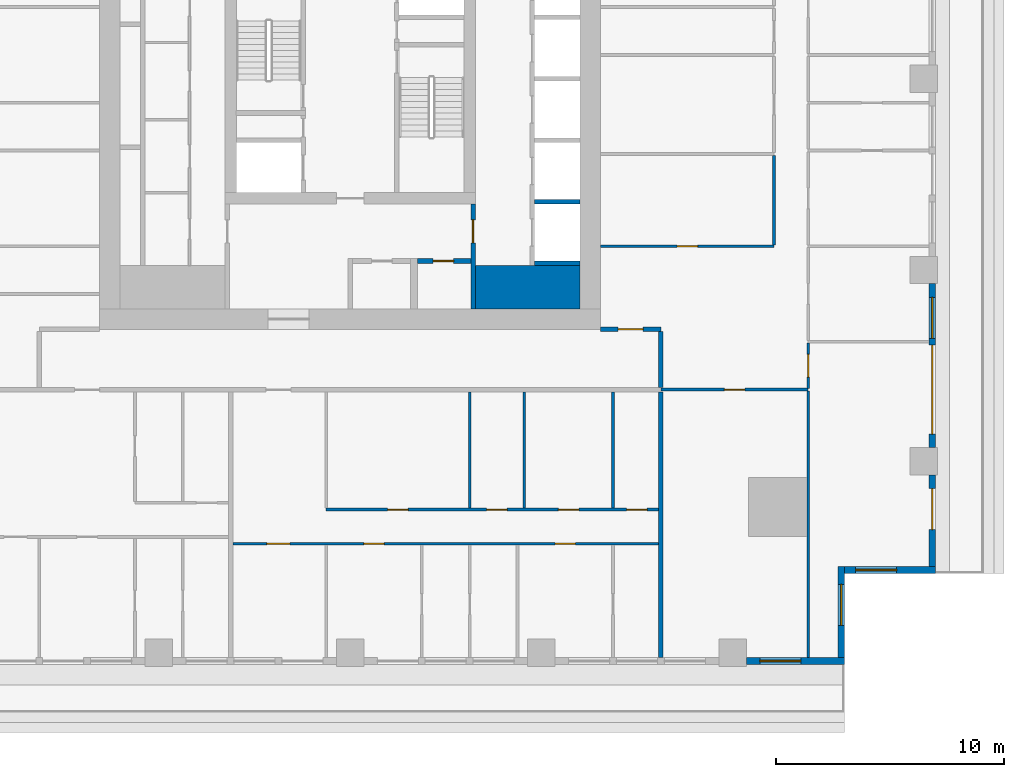
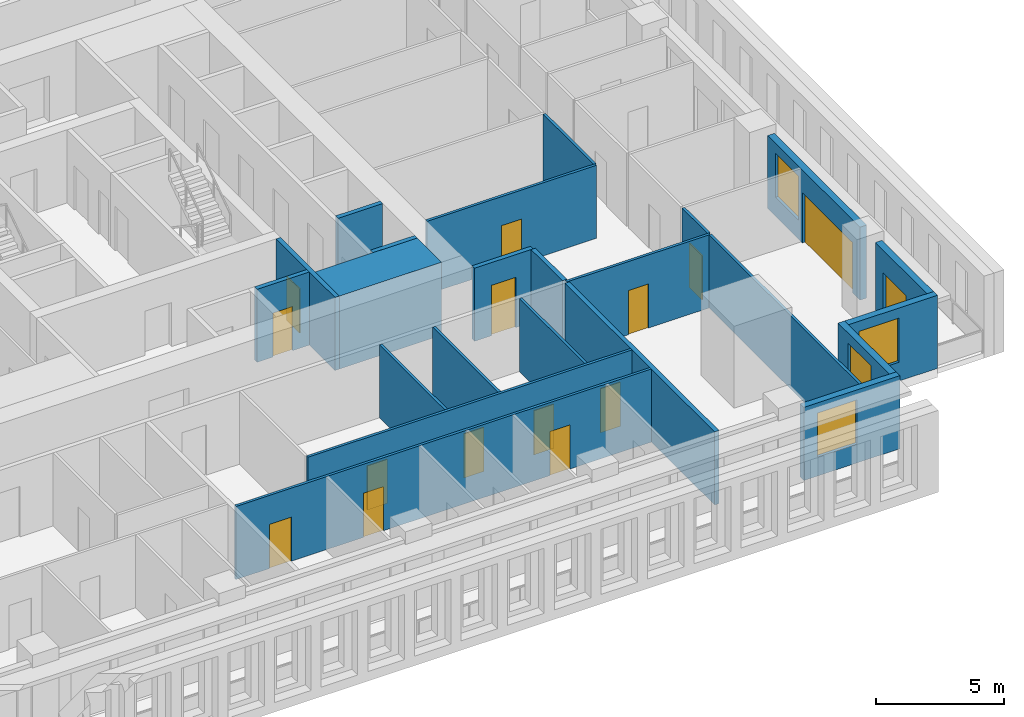
# One storey, part 5 of 16: 23 walls, 15 doors, 4 windows, 19 openings.
"""IFC4 building model written with IfcOpenShell, lengths in metres."""

from ifc_helpers import new_model, si_unit, direction, frame, frame_2d, origin, place, context, subcontext, project, spatial, rectangle, extrude, material, layer, layer_set, type_object, element, fill, save


model = new_model("IFC4")

# Units and contexts
model_context = context("Model", 3, precision=1e-05, world=origin(), true_north=direction((0.0, 1.0)))
body_context = subcontext(model_context, "Body", "Model", "MODEL_VIEW")
ifc_project = project(units=[si_unit("LENGTHUNIT", "METRE"), si_unit("AREAUNIT", "SQUARE_METRE"), si_unit("VOLUMEUNIT", "CUBIC_METRE"), si_unit("PLANEANGLEUNIT", "RADIAN"), si_unit("MASSUNIT", "GRAM", prefix="KILO")], contexts=[model_context])

# Site, building, storey
site_placement = place(None, origin())
site = spatial("IfcSite", under=ifc_project, at=site_placement, CompositionType="ELEMENT")
building_placement = place(site_placement, origin())
building = spatial("IfcBuilding", under=site, at=building_placement, Name="Khepri Terraces", CompositionType="ELEMENT")
storey_placement = place(building_placement, frame((0.0, 0.0, 172.800048828125)))
storey = spatial("IfcBuildingStorey", under=building, at=storey_placement, Name="L41", CompositionType="ELEMENT", Elevation=172.800048828125)

# Walls
ifc_material_1 = material(Name="Concrete C60/75", Category="concrete")
ifc_layer_1 = layer(ifc_material_1, 1.89990234375, Name="Concrete C60/75", Category="concrete")
ifc_layer_set_1 = layer_set([ifc_layer_1], Name="Concrete C60/75")
wall_type_1 = type_object("IfcWallType", Name="Core wall 1900 C60/75", PredefinedType="SHEAR", material=ifc_layer_set_1)
wall_1_placement = place(storey_placement, frame((5.5, -9.14990234375, 0.0), z_axis=(0.0, 0.0, 1.0), x_axis=(1.0, 0.0, 0.0)))
element("IfcWall", 1, at=wall_1_placement, inside=storey, type_object=wall_type_1, Name="Core wall PR02 L41", PredefinedType="SHEAR", context=body_context, shape_type="SweptSolid", body=[
    extrude(rectangle(XDim=4.60009765625, YDim=1.89990234375, at=frame_2d((2.300048828125, 0.0))), origin(), (0.0, 0.0, 1.0), 3.47998046875),
])
ifc_layer_2 = layer(ifc_material_1, 0.199951171875, Name="Concrete C60/75", Category="concrete")
ifc_layer_set_2 = layer_set([ifc_layer_2], Name="Concrete C60/75")
wall_type_2 = type_object("IfcWallType", Name="Core wall 200 C60/75", PredefinedType="SHEAR", material=ifc_layer_set_2)
for number, where, z_axis, x_axis, name in (
    (2, (8.10009765625, -8.10009765625, 0.0), (0.0, 0.0, 1.0), (1.0, 0.0, 0.0), "Core wall SH03 L41"),
    (3, (8.10009765625, -5.39990234375, 0.0), (0.0, 0.0, 1.0), (1.0, 0.0, 0.0), "Core wall SH04 L41"),
):
    element("IfcWall", number, at=place(storey_placement, frame(where, z_axis=z_axis, x_axis=x_axis)), inside=storey, type_object=wall_type_2, Name=name, PredefinedType="SHEAR", context=body_context, shape_type="SweptSolid", body=[
        extrude(rectangle(XDim=2.0, YDim=0.199951171875, at=frame_2d((1.0, 0.0))), origin(), (0.0, 0.0, 1.0), 3.47998046875),
    ])

# Wall, opening, door
ifc_material_2 = material(Name="Fire-rated gypsum board partition")
ifc_layer_3 = layer(ifc_material_2, 0.199951171875, Name="Fire-rated gypsum board partition")
ifc_layer_set_3 = layer_set([ifc_layer_3], Name="Fire-rated gypsum board partition")
wall_type_3 = type_object("IfcWallType", Name="WL-CORE-PART-200", PredefinedType="PARTITIONING", material=ifc_layer_set_3)
wall_2_placement = place(storey_placement, frame((5.39990234375, -10.10009765625, 0.0), z_axis=(0.0, 0.0, 1.0), x_axis=(0.0, 1.0, 0.0)))
wall_2 = element("IfcWall", 4, at=wall_2_placement, inside=storey, type_object=wall_type_3, Name="Core partition PT04 L41", PredefinedType="PARTITIONING", context=body_context, shape_type="SweptSolid", body=[
    extrude(rectangle(XDim=4.60009765625, YDim=0.199951171875, at=frame_2d((2.300048828125, 0.0))), origin(), (0.0, 0.0, 1.0), 3.47998046875),
])
opening_1_placement = place(wall_2_placement, frame((2.89990234375, 0.0, 0.0)))
opening_1 = element("IfcOpeningElement", 5, at=opening_1_placement, cuts=wall_2, Name="Opening L41-C19", PredefinedType="OPENING", context=body_context, shape_type="SweptSolid", body=[
    extrude(rectangle(XDim=1.0, YDim=2.10009765625, at=frame_2d((0.5, 1.050048828125))), frame((0.0, 0.10986328125, 0.0), z_axis=(0.0, -1.0, 0.0), x_axis=(1.0, 0.0, 0.0)), (0.0, 0.0, 1.0), 0.219970703125),
])
ifc_material_3 = material(Name="Painted steel", Category="steel")
door_type_1 = type_object("IfcDoorType", Name="DR-CORE-LOBBY-1000", OperationType="NOTDEFINED", PredefinedType="DOOR", material=ifc_material_3)
door_1_placement = place(opening_1_placement, origin())
door_1 = element("IfcDoor", 6, at=door_1_placement, inside=storey, type_object=door_type_1, Name="Lobby door L41-C19", OperationType="SINGLE_SWING_RIGHT", OverallHeight=2.10009765625, OverallWidth=1.0, PredefinedType="DOOR", context=body_context, shape_type="SweptSolid", body=[
    extrude(rectangle(XDim=1.0, YDim=2.10009765625, at=frame_2d((0.5, 1.050048828125))), frame((0.0, 0.02490234375, 0.0), z_axis=(0.0, -1.0, 0.0), x_axis=(1.0, 0.0, 0.0)), (0.0, 0.0, 1.0), 0.050048828125),
])
fill(opening_1, door_1)

wall_3_placement = place(storey_placement, frame((2.949951171875, -8.0, 0.0), z_axis=(0.0, 0.0, 1.0), x_axis=(1.0, 0.0, 0.0)))
wall_3 = element("IfcWall", 7, at=wall_3_placement, inside=storey, type_object=wall_type_3, Name="Core partition PT07 L41", PredefinedType="PARTITIONING", context=body_context, shape_type="SweptSolid", body=[
    extrude(rectangle(XDim=2.35009765625, YDim=0.199951171875, at=frame_2d((1.175048828125, 0.0))), origin(), (0.0, 0.0, 1.0), 3.47998046875),
])
opening_2_placement = place(wall_3_placement, frame((0.699951171875, 0.0, 0.0)))
opening_2 = element("IfcOpeningElement", 8, at=opening_2_placement, cuts=wall_3, Name="Opening L41-C23", PredefinedType="OPENING", context=body_context, shape_type="SweptSolid", body=[
    extrude(rectangle(XDim=0.89990234375, YDim=2.10009765625, at=frame_2d((0.449951171875, 1.050048828125))), frame((0.0, 0.10986328125, 0.0), z_axis=(0.0, -1.0, 0.0), x_axis=(1.0, 0.0, 0.0)), (0.0, 0.0, 1.0), 0.219970703125),
])
door_type_2 = type_object("IfcDoorType", Name="DR-CORE-SERVICE-900", OperationType="NOTDEFINED", PredefinedType="DOOR", material=ifc_material_3)
door_2_placement = place(opening_2_placement, frame((0.89990234375, 0.0, 0.0), z_axis=(0.0, 0.0, 1.0), x_axis=(-1.0, 0.0, 0.0)))
door_2 = element("IfcDoor", 9, at=door_2_placement, inside=storey, type_object=door_type_2, Name="Service room door L41-C23", OperationType="SINGLE_SWING_RIGHT", OverallHeight=2.10009765625, OverallWidth=0.89990234375, PredefinedType="DOOR", context=body_context, shape_type="SweptSolid", body=[
    extrude(rectangle(XDim=0.89990234375, YDim=2.10009765625, at=frame_2d((0.449951171875, 1.050048828125))), frame((0.0, 0.02490234375, 0.0), z_axis=(0.0, -1.0, 0.0), x_axis=(1.0, 0.0, 0.0)), (0.0, 0.0, 1.0), 0.050048828125),
])
fill(opening_2, door_2)

# Walls
ifc_material_4 = material(Name="Fire-rated gypsum plasterboard partition, mineral wool")
ifc_layer_4 = layer(ifc_material_4, 0.199951171875, Name="Fire-rated gypsum plasterboard partition, mineral wool")
ifc_layer_set_4 = layer_set([ifc_layer_4], Name="Fire-rated gypsum plasterboard partition, mineral wool")
wall_type_4 = type_object("IfcWallType", Name="WL-CORR-200", PredefinedType="PARTITIONING", material=ifc_layer_set_4)
wall_4_placement = place(storey_placement, frame((13.64990234375, -25.419921875, 0.0), z_axis=(0.0, 0.0, 1.0), x_axis=(0.0, 1.0, 0.0)))
element("IfcWall", 10, at=wall_4_placement, inside=storey, type_object=wall_type_4, Name="Partition P-010 L41", PredefinedType="PARTITIONING", context=body_context, shape_type="SweptSolid", body=[
    extrude(rectangle(XDim=11.669921875, YDim=0.199951171875, at=frame_2d((5.8349609375, 0.0))), origin(), (0.0, 0.0, 1.0), 3.47998046875),
])
wall_5_placement = place(storey_placement, frame((13.64990234375, -13.550048828125, 0.0), z_axis=(0.0, 0.0, 1.0), x_axis=(0.0, 1.0, 0.0)))
element("IfcWall", 11, at=wall_5_placement, inside=storey, type_object=wall_type_4, Name="Partition P-029 L41", PredefinedType="PARTITIONING", context=body_context, shape_type="SweptSolid", body=[
    extrude(rectangle(XDim=2.449951171875, YDim=0.199951171875, at=frame_2d((1.22509765625, 0.0))), origin(), (0.0, 0.0, 1.0), 3.47998046875),
])

# Wall, opening, door
wall_6_placement = place(storey_placement, frame((11.0, -11.0, 0.0), z_axis=(0.0, 0.0, 1.0), x_axis=(1.0, 0.0, 0.0)))
wall_6 = element("IfcWall", 12, at=wall_6_placement, inside=storey, type_object=wall_type_4, Name="Partition P-035 L41", PredefinedType="PARTITIONING", context=body_context, shape_type="SweptSolid", body=[
    extrude(rectangle(XDim=2.64990234375, YDim=0.199951171875, at=frame_2d((1.324951171875, 0.0))), origin(), (0.0, 0.0, 1.0), 3.47998046875),
])
opening_3_placement = place(wall_6_placement, frame((0.77490234375, 0.0, 0.0)))
opening_3 = element("IfcOpeningElement", 13, at=opening_3_placement, cuts=wall_6, Name="Opening D1", PredefinedType="OPENING", context=body_context, shape_type="SweptSolid", body=[
    extrude(rectangle(XDim=1.10009765625, YDim=2.39990234375, at=frame_2d((0.550048828125, 1.199951171875))), frame((0.0, 0.10986328125, 0.0), z_axis=(0.0, -1.0, 0.0), x_axis=(1.0, 0.0, 0.0)), (0.0, 0.0, 1.0), 0.219970703125),
])
ifc_material_5 = material(Name="Solid-core timber door leaf, flat entrance door", Category="wood")
door_type_3 = type_object("IfcDoorType", Name="DR-ENT-1100", OperationType="NOTDEFINED", PredefinedType="DOOR", material=ifc_material_5)
door_3_placement = place(opening_3_placement, origin())
door_3 = element("IfcDoor", 14, at=door_3_placement, inside=storey, type_object=door_type_3, Name="Flat B1 entrance door", OperationType="SINGLE_SWING_LEFT", OverallHeight=2.39990234375, OverallWidth=1.10009765625, PredefinedType="DOOR", context=body_context, shape_type="SweptSolid", body=[
    extrude(rectangle(XDim=1.10009765625, YDim=2.39990234375, at=frame_2d((0.550048828125, 1.199951171875))), frame((0.0, 0.02490234375, 0.0), z_axis=(0.0, -1.0, 0.0), x_axis=(1.0, 0.0, 0.0)), (0.0, 0.0, 1.0), 0.050048828125),
])
fill(opening_3, door_3)

# Wall, opening, window
ifc_material_6 = material(Name="Precast concrete C50/60 warm stone", Category="masonry")
ifc_layer_5 = layer(ifc_material_6, 0.300048828125, Name="Precast concrete C50/60 warm stone", Category="masonry")
ifc_layer_set_5 = layer_set([ifc_layer_5], Name="Precast concrete C50/60 warm stone")
wall_type_5 = type_object("IfcWallType", Name="WL-EXT-PRECAST-300", PredefinedType="STANDARD", material=ifc_layer_set_5)
wall_7_placement = place(storey_placement, frame((21.719970703125, -21.570068359375, 0.0), z_axis=(0.0, 0.0, 1.0), x_axis=(1.0, 0.0, 0.0)))
wall_7 = element("IfcWall", 15, at=wall_7_placement, inside=storey, type_object=wall_type_5, Name="External wall L41 S", PredefinedType="STANDARD", context=body_context, shape_type="SweptSolid", body=[
    extrude(rectangle(XDim=4.0, YDim=0.300048828125, at=frame_2d((2.0, 0.0))), origin(), (0.0, 0.0, 1.0), 3.47998046875),
])
opening_4_placement = place(wall_7_placement, frame((0.47998046875, 0.0, 0.89990234375)))
opening_4 = element("IfcOpeningElement", 16, at=opening_4_placement, cuts=wall_7, Name="Opening W1", PredefinedType="OPENING", context=body_context, shape_type="SweptSolid", body=[
    extrude(rectangle(XDim=1.800048828125, YDim=2.10009765625, at=frame_2d((0.89990234375, 1.050048828125))), frame((0.0, 0.16015625, 0.0), z_axis=(0.0, -1.0, 0.0), x_axis=(1.0, 0.0, 0.0)), (0.0, 0.0, 1.0), 0.320068359375),
])
ifc_material_7 = material(Name="Clear glass", Category="glass")
window_type = type_object("IfcWindowType", Name="WIN-RES-1800x2100", PartitioningType="SINGLE_PANEL", PredefinedType="WINDOW", material=ifc_material_7)
window_1_placement = place(opening_4_placement, origin())
window_1 = element("IfcWindow", 17, at=window_1_placement, inside=storey, type_object=window_type, Name="Window L41 S", OverallHeight=2.10009765625, OverallWidth=1.800048828125, PartitioningType="SINGLE_PANEL", PredefinedType="WINDOW", context=body_context, shape_type="SweptSolid", body=[
    extrude(rectangle(XDim=1.800048828125, YDim=2.10009765625, at=frame_2d((0.89990234375, 1.050048828125))), frame((0.0, 0.030029296875, 0.0), z_axis=(0.0, -1.0, 0.0), x_axis=(1.0, 0.0, 0.0)), (0.0, 0.0, 1.0), 0.06005859375),
])
fill(opening_4, window_1)

# Wall, opening, door
wall_8_placement = place(storey_placement, frame((25.570068359375, -21.419921875, 0.0), z_axis=(0.0, 0.0, 1.0), x_axis=(0.0, 1.0, 0.0)))
wall_8 = element("IfcWall", 18, at=wall_8_placement, inside=storey, type_object=wall_type_5, Name="External wall L41 E", PredefinedType="STANDARD", context=body_context, shape_type="SweptSolid", body=[
    extrude(rectangle(XDim=4.02001953125, YDim=0.300048828125, at=frame_2d((2.010009765625, 0.0))), origin(), (0.0, 0.0, 1.0), 3.47998046875),
])
opening_5_placement = place(wall_8_placement, frame((1.6201171875, 0.0, 0.0)))
opening_5 = element("IfcOpeningElement", 19, at=opening_5_placement, cuts=wall_8, Name="Opening ED-L41-01", PredefinedType="OPENING", context=body_context, shape_type="SweptSolid", body=[
    extrude(rectangle(XDim=1.800048828125, YDim=2.39990234375, at=frame_2d((0.89990234375, 1.199951171875))), frame((0.0, 0.16015625, 0.0), z_axis=(0.0, -1.0, 0.0), x_axis=(1.0, 0.0, 0.0)), (0.0, 0.0, 1.0), 0.320068359375),
])
ifc_material_8 = material(Name="Anodised aluminium bronze glazed door", Category="aluminium")
door_type_4 = type_object("IfcDoorType", Name="DR-BAL-SLIDE-1800x2400", OperationType="NOTDEFINED", PredefinedType="DOOR", material=ifc_material_8)
door_4_placement = place(opening_5_placement, origin())
door_4 = element("IfcDoor", 20, at=door_4_placement, inside=storey, type_object=door_type_4, Name="Balcony door L41 E", OperationType="SLIDING_TO_RIGHT", OverallHeight=2.39990234375, OverallWidth=1.800048828125, PredefinedType="DOOR", context=body_context, shape_type="SweptSolid", body=[
    extrude(rectangle(XDim=1.800048828125, YDim=2.39990234375, at=frame_2d((0.89990234375, 1.199951171875))), frame((0.0, 0.02490234375, 0.0), z_axis=(0.0, -1.0, 0.0), x_axis=(1.0, 0.0, 0.0)), (0.0, 0.0, 1.0), 0.050048828125),
])
fill(opening_5, door_4)

# Wall, openings, door, window
wall_9_placement = place(storey_placement, frame((25.570068359375, -16.199951171875, 0.0), z_axis=(0.0, 0.0, 1.0), x_axis=(0.0, 1.0, 0.0)))
wall_9 = element("IfcWall", 21, at=wall_9_placement, inside=storey, type_object=wall_type_5, Name="External wall L41 E", PredefinedType="STANDARD", context=body_context, shape_type="SweptSolid", body=[
    extrude(rectangle(XDim=7.199951171875, YDim=0.300048828125, at=frame_2d((3.60009765625, 0.0))), origin(), (0.0, 0.0, 1.0), 3.47998046875),
])
opening_6_placement = place(wall_9_placement, frame((0.60009765625, 0.0, 0.0)))
opening_6 = element("IfcOpeningElement", 22, at=opening_6_placement, cuts=wall_9, Name="Opening ED-L41-02", PredefinedType="OPENING", context=body_context, shape_type="SweptSolid", body=[
    extrude(rectangle(XDim=3.89990234375, YDim=2.39990234375, at=frame_2d((1.949951171875, 1.199951171875))), frame((0.0, 0.16015625, 0.0), z_axis=(0.0, -1.0, 0.0), x_axis=(1.0, 0.0, 0.0)), (0.0, 0.0, 1.0), 0.320068359375),
])
opening_7_placement = place(wall_9_placement, frame((4.800048828125, 0.0, 0.89990234375)))
opening_7 = element("IfcOpeningElement", 23, at=opening_7_placement, cuts=wall_9, Name="Opening W1", PredefinedType="OPENING", context=body_context, shape_type="SweptSolid", body=[
    extrude(rectangle(XDim=1.800048828125, YDim=2.10009765625, at=frame_2d((0.89990234375, 1.050048828125))), frame((0.0, 0.16015625, 0.0), z_axis=(0.0, -1.0, 0.0), x_axis=(1.0, 0.0, 0.0)), (0.0, 0.0, 1.0), 0.320068359375),
])
door_type_5 = type_object("IfcDoorType", Name="DR-BAL-SLIDE-3900x2400", OperationType="NOTDEFINED", PredefinedType="DOOR", material=ifc_material_8)
door_5_placement = place(opening_6_placement, origin())
door_5 = element("IfcDoor", 24, at=door_5_placement, inside=storey, type_object=door_type_5, Name="Balcony door L41 E", OperationType="SLIDING_TO_LEFT", OverallHeight=2.39990234375, OverallWidth=3.89990234375, PredefinedType="DOOR", context=body_context, shape_type="SweptSolid", body=[
    extrude(rectangle(XDim=3.89990234375, YDim=2.39990234375, at=frame_2d((1.949951171875, 1.199951171875))), frame((0.0, 0.02490234375, 0.0), z_axis=(0.0, -1.0, 0.0), x_axis=(1.0, 0.0, 0.0)), (0.0, 0.0, 1.0), 0.050048828125),
])
fill(opening_6, door_5)
window_2_placement = place(opening_7_placement, origin())
window_2 = element("IfcWindow", 25, at=window_2_placement, inside=storey, type_object=window_type, Name="Window L41 E", OverallHeight=2.10009765625, OverallWidth=1.800048828125, PartitioningType="SINGLE_PANEL", PredefinedType="WINDOW", context=body_context, shape_type="SweptSolid", body=[
    extrude(rectangle(XDim=1.800048828125, YDim=2.10009765625, at=frame_2d((0.89990234375, 1.050048828125))), frame((0.0, 0.030029296875, 0.0), z_axis=(0.0, -1.0, 0.0), x_axis=(1.0, 0.0, 0.0)), (0.0, 0.0, 1.0), 0.06005859375),
])
fill(opening_7, window_2)

# Wall, opening, window
wall_10_placement = place(storey_placement, frame((17.39990234375, -25.570068359375, 0.0), z_axis=(0.0, 0.0, 1.0), x_axis=(1.0, 0.0, 0.0)))
wall_10 = element("IfcWall", 26, at=wall_10_placement, inside=storey, type_object=wall_type_5, Name="External wall L41 S", PredefinedType="STANDARD", context=body_context, shape_type="SweptSolid", body=[
    extrude(rectangle(XDim=4.320068359375, YDim=0.300048828125, at=frame_2d((2.16015625, 0.0))), origin(), (0.0, 0.0, 1.0), 3.47998046875),
])
opening_8_placement = place(wall_10_placement, frame((0.60009765625, 0.0, 0.89990234375)))
opening_8 = element("IfcOpeningElement", 27, at=opening_8_placement, cuts=wall_10, Name="Opening W1", PredefinedType="OPENING", context=body_context, shape_type="SweptSolid", body=[
    extrude(rectangle(XDim=1.800048828125, YDim=2.10009765625, at=frame_2d((0.89990234375, 1.050048828125))), frame((0.0, 0.16015625, 0.0), z_axis=(0.0, -1.0, 0.0), x_axis=(1.0, 0.0, 0.0)), (0.0, 0.0, 1.0), 0.320068359375),
])
window_3_placement = place(opening_8_placement, origin())
window_3 = element("IfcWindow", 28, at=window_3_placement, inside=storey, type_object=window_type, Name="Window L41 S", OverallHeight=2.10009765625, OverallWidth=1.800048828125, PartitioningType="SINGLE_PANEL", PredefinedType="WINDOW", context=body_context, shape_type="SweptSolid", body=[
    extrude(rectangle(XDim=1.800048828125, YDim=2.10009765625, at=frame_2d((0.89990234375, 1.050048828125))), frame((0.0, 0.030029296875, 0.0), z_axis=(0.0, -1.0, 0.0), x_axis=(1.0, 0.0, 0.0)), (0.0, 0.0, 1.0), 0.06005859375),
])
fill(opening_8, window_3)

wall_11_placement = place(storey_placement, frame((21.570068359375, -25.419921875, 0.0), z_axis=(0.0, 0.0, 1.0), x_axis=(0.0, 1.0, 0.0)))
wall_11 = element("IfcWall", 29, at=wall_11_placement, inside=storey, type_object=wall_type_5, Name="External wall L41 E", PredefinedType="STANDARD", context=body_context, shape_type="SweptSolid", body=[
    extrude(rectangle(XDim=4.0, YDim=0.300048828125, at=frame_2d((2.0, 0.0))), origin(), (0.0, 0.0, 1.0), 3.47998046875),
])
opening_9_placement = place(wall_11_placement, frame((1.419921875, 0.0, 0.89990234375)))
opening_9 = element("IfcOpeningElement", 30, at=opening_9_placement, cuts=wall_11, Name="Opening W1", PredefinedType="OPENING", context=body_context, shape_type="SweptSolid", body=[
    extrude(rectangle(XDim=1.800048828125, YDim=2.10009765625, at=frame_2d((0.89990234375, 1.050048828125))), frame((0.0, 0.16015625, 0.0), z_axis=(0.0, -1.0, 0.0), x_axis=(1.0, 0.0, 0.0)), (0.0, 0.0, 1.0), 0.320068359375),
])
window_4_placement = place(opening_9_placement, origin())
window_4 = element("IfcWindow", 31, at=window_4_placement, inside=storey, type_object=window_type, Name="Window L41 E", OverallHeight=2.10009765625, OverallWidth=1.800048828125, PartitioningType="SINGLE_PANEL", PredefinedType="WINDOW", context=body_context, shape_type="SweptSolid", body=[
    extrude(rectangle(XDim=1.800048828125, YDim=2.10009765625, at=frame_2d((0.89990234375, 1.050048828125))), frame((0.0, 0.030029296875, 0.0), z_axis=(0.0, -1.0, 0.0), x_axis=(1.0, 0.0, 0.0)), (0.0, 0.0, 1.0), 0.06005859375),
])
fill(opening_9, window_4)

# Wall
ifc_material_9 = material(Name="Gypsum plasterboard partition")
ifc_layer_6 = layer(ifc_material_9, 0.1201171875, Name="Gypsum plasterboard partition")
ifc_layer_set_6 = layer_set([ifc_layer_6], Name="Gypsum plasterboard partition")
wall_type_6 = type_object("IfcWallType", Name="WL-PART-120", PredefinedType="PARTITIONING", material=ifc_layer_set_6)
wall_12_placement = place(storey_placement, frame((20.1201171875, -25.419921875, 0.0), z_axis=(0.0, 0.0, 1.0), x_axis=(0.0, 1.0, 0.0)))
element("IfcWall", 32, at=wall_12_placement, inside=storey, type_object=wall_type_6, Name="Partition P-011 L41", PredefinedType="PARTITIONING", context=body_context, shape_type="SweptSolid", body=[
    extrude(rectangle(XDim=11.7099609375, YDim=0.1201171875, at=frame_2d((5.85498046875, 0.0))), origin(), (0.0, 0.0, 1.0), 3.47998046875),
])

# Wall, openings, doors
wall_13_placement = place(storey_placement, frame((-5.14990234375, -20.419921875, 0.0), z_axis=(0.0, 0.0, 1.0), x_axis=(1.0, 0.0, 0.0)))
wall_13 = element("IfcWall", 33, at=wall_13_placement, inside=storey, type_object=wall_type_6, Name="Partition P-012 L41", PredefinedType="PARTITIONING", context=body_context, shape_type="SweptSolid", body=[
    extrude(rectangle(XDim=18.699951171875, YDim=0.1201171875, at=frame_2d((9.35009765625, 0.0))), origin(), (0.0, 0.0, 1.0), 3.47998046875),
])
opening_10_placement = place(wall_13_placement, frame((1.5, 0.0, 0.0)))
opening_10 = element("IfcOpeningElement", 34, at=opening_10_placement, cuts=wall_13, Name="Opening D2", PredefinedType="OPENING", context=body_context, shape_type="SweptSolid", body=[
    extrude(rectangle(XDim=1.0, YDim=2.10009765625, at=frame_2d((0.5, 1.050048828125))), frame((0.0, 0.070068359375, 0.0), z_axis=(0.0, -1.0, 0.0), x_axis=(1.0, 0.0, 0.0)), (0.0, 0.0, 1.0), 0.14013671875),
])
opening_11_placement = place(wall_13_placement, frame((5.75, 0.0, 0.0)))
opening_11 = element("IfcOpeningElement", 35, at=opening_11_placement, cuts=wall_13, Name="Opening D3", PredefinedType="OPENING", context=body_context, shape_type="SweptSolid", body=[
    extrude(rectangle(XDim=0.89990234375, YDim=2.10009765625, at=frame_2d((0.449951171875, 1.050048828125))), frame((0.0, 0.070068359375, 0.0), z_axis=(0.0, -1.0, 0.0), x_axis=(1.0, 0.0, 0.0)), (0.0, 0.0, 1.0), 0.14013671875),
])
opening_12_placement = place(wall_13_placement, frame((14.14990234375, 0.0, 0.0)))
opening_12 = element("IfcOpeningElement", 36, at=opening_12_placement, cuts=wall_13, Name="Opening D3", PredefinedType="OPENING", context=body_context, shape_type="SweptSolid", body=[
    extrude(rectangle(XDim=0.89990234375, YDim=2.10009765625, at=frame_2d((0.449951171875, 1.050048828125))), frame((0.0, 0.070068359375, 0.0), z_axis=(0.0, -1.0, 0.0), x_axis=(1.0, 0.0, 0.0)), (0.0, 0.0, 1.0), 0.14013671875),
])
ifc_material_10 = material(Name="Timber door leaf, living room door", Category="wood")
door_type_6 = type_object("IfcDoorType", Name="DR-INT-1000", OperationType="NOTDEFINED", PredefinedType="DOOR", material=ifc_material_10)
door_6_placement = place(opening_10_placement, frame((1.0, 0.0, 0.0), z_axis=(0.0, 0.0, 1.0), x_axis=(-1.0, 0.0, 0.0)))
door_6 = element("IfcDoor", 37, at=door_6_placement, inside=storey, type_object=door_type_6, Name="Door Sun Lounge", OperationType="SINGLE_SWING_RIGHT", OverallHeight=2.10009765625, OverallWidth=1.0, PredefinedType="DOOR", context=body_context, shape_type="SweptSolid", body=[
    extrude(rectangle(XDim=1.0, YDim=2.10009765625, at=frame_2d((0.5, 1.050048828125))), frame((0.0, 0.02490234375, 0.0), z_axis=(0.0, -1.0, 0.0), x_axis=(1.0, 0.0, 0.0)), (0.0, 0.0, 1.0), 0.050048828125),
])
fill(opening_10, door_6)
ifc_material_11 = material(Name="Timber door leaf", Category="wood")
door_type_7 = type_object("IfcDoorType", Name="DR-INT-900", OperationType="NOTDEFINED", PredefinedType="DOOR", material=ifc_material_11)
door_7_placement = place(opening_11_placement, frame((0.89990234375, 0.0, 0.0), z_axis=(0.0, 0.0, 1.0), x_axis=(-1.0, 0.0, 0.0)))
door_7 = element("IfcDoor", 38, at=door_7_placement, inside=storey, type_object=door_type_7, Name="Door Master Bedroom", OperationType="SINGLE_SWING_RIGHT", OverallHeight=2.10009765625, OverallWidth=0.89990234375, PredefinedType="DOOR", context=body_context, shape_type="SweptSolid", body=[
    extrude(rectangle(XDim=0.89990234375, YDim=2.10009765625, at=frame_2d((0.449951171875, 1.050048828125))), frame((0.0, 0.02490234375, 0.0), z_axis=(0.0, -1.0, 0.0), x_axis=(1.0, 0.0, 0.0)), (0.0, 0.0, 1.0), 0.050048828125),
])
fill(opening_11, door_7)
door_8_placement = place(opening_12_placement, frame((0.89990234375, 0.0, 0.0), z_axis=(0.0, 0.0, 1.0), x_axis=(-1.0, 0.0, 0.0)))
door_8 = element("IfcDoor", 39, at=door_8_placement, inside=storey, type_object=door_type_7, Name="Door Bedroom", OperationType="SINGLE_SWING_LEFT", OverallHeight=2.10009765625, OverallWidth=0.89990234375, PredefinedType="DOOR", context=body_context, shape_type="SweptSolid", body=[
    extrude(rectangle(XDim=0.89990234375, YDim=2.10009765625, at=frame_2d((0.449951171875, 1.050048828125))), frame((0.0, 0.02490234375, 0.0), z_axis=(0.0, -1.0, 0.0), x_axis=(1.0, 0.0, 0.0)), (0.0, 0.0, 1.0), 0.050048828125),
])
fill(opening_12, door_8)

wall_14_placement = place(storey_placement, frame((-1.050048828125, -18.919921875, 0.0), z_axis=(0.0, 0.0, 1.0), x_axis=(1.0, 0.0, 0.0)))
wall_14 = element("IfcWall", 40, at=wall_14_placement, inside=storey, type_object=wall_type_6, Name="Partition P-015 L41", PredefinedType="PARTITIONING", context=body_context, shape_type="SweptSolid", body=[
    extrude(rectangle(XDim=14.60009765625, YDim=0.1201171875, at=frame_2d((7.300048828125, 0.0))), origin(), (0.0, 0.0, 1.0), 3.47998046875),
])
opening_13_placement = place(wall_14_placement, frame((2.699951171875, 0.0, 0.0)))
opening_13 = element("IfcOpeningElement", 41, at=opening_13_placement, cuts=wall_14, Name="Opening D3", PredefinedType="OPENING", context=body_context, shape_type="SweptSolid", body=[
    extrude(rectangle(XDim=0.89990234375, YDim=2.10009765625, at=frame_2d((0.449951171875, 1.050048828125))), frame((0.0, 0.070068359375, 0.0), z_axis=(0.0, -1.0, 0.0), x_axis=(1.0, 0.0, 0.0)), (0.0, 0.0, 1.0), 0.14013671875),
])
opening_14_placement = place(wall_14_placement, frame((7.050048828125, 0.0, 0.0)))
opening_14 = element("IfcOpeningElement", 42, at=opening_14_placement, cuts=wall_14, Name="Opening D4", PredefinedType="OPENING", context=body_context, shape_type="SweptSolid", body=[
    extrude(rectangle(XDim=0.89990234375, YDim=2.10009765625, at=frame_2d((0.449951171875, 1.050048828125))), frame((0.0, 0.070068359375, 0.0), z_axis=(0.0, -1.0, 0.0), x_axis=(1.0, 0.0, 0.0)), (0.0, 0.0, 1.0), 0.14013671875),
])
opening_15_placement = place(wall_14_placement, frame((10.199951171875, 0.0, 0.0)))
opening_15 = element("IfcOpeningElement", 43, at=opening_15_placement, cuts=wall_14, Name="Opening D4", PredefinedType="OPENING", context=body_context, shape_type="SweptSolid", body=[
    extrude(rectangle(XDim=0.89990234375, YDim=2.10009765625, at=frame_2d((0.449951171875, 1.050048828125))), frame((0.0, 0.070068359375, 0.0), z_axis=(0.0, -1.0, 0.0), x_axis=(1.0, 0.0, 0.0)), (0.0, 0.0, 1.0), 0.14013671875),
])
opening_16_placement = place(wall_14_placement, frame((13.199951171875, 0.0, 0.0)))
opening_16 = element("IfcOpeningElement", 44, at=opening_16_placement, cuts=wall_14, Name="Opening D3", PredefinedType="OPENING", context=body_context, shape_type="SweptSolid", body=[
    extrude(rectangle(XDim=0.89990234375, YDim=2.10009765625, at=frame_2d((0.449951171875, 1.050048828125))), frame((0.0, 0.070068359375, 0.0), z_axis=(0.0, -1.0, 0.0), x_axis=(1.0, 0.0, 0.0)), (0.0, 0.0, 1.0), 0.14013671875),
])
door_9_placement = place(opening_13_placement, origin())
door_9 = element("IfcDoor", 45, at=door_9_placement, inside=storey, type_object=door_type_7, Name="Door Kitchen", OperationType="SINGLE_SWING_LEFT", OverallHeight=2.10009765625, OverallWidth=0.89990234375, PredefinedType="DOOR", context=body_context, shape_type="SweptSolid", body=[
    extrude(rectangle(XDim=0.89990234375, YDim=2.10009765625, at=frame_2d((0.449951171875, 1.050048828125))), frame((0.0, 0.02490234375, 0.0), z_axis=(0.0, -1.0, 0.0), x_axis=(1.0, 0.0, 0.0)), (0.0, 0.0, 1.0), 0.050048828125),
])
fill(opening_13, door_9)
door_10_placement = place(opening_16_placement, origin())
door_10 = element("IfcDoor", 46, at=door_10_placement, inside=storey, type_object=door_type_7, Name="Door Utility Room", OperationType="SINGLE_SWING_RIGHT", OverallHeight=2.10009765625, OverallWidth=0.89990234375, PredefinedType="DOOR", context=body_context, shape_type="SweptSolid", body=[
    extrude(rectangle(XDim=0.89990234375, YDim=2.10009765625, at=frame_2d((0.449951171875, 1.050048828125))), frame((0.0, 0.02490234375, 0.0), z_axis=(0.0, -1.0, 0.0), x_axis=(1.0, 0.0, 0.0)), (0.0, 0.0, 1.0), 0.050048828125),
])
fill(opening_16, door_10)
ifc_material_12 = material(Name="Timber door leaf, moisture resistant", Category="wood")
door_type_8 = type_object("IfcDoorType", Name="DR-WET-900", OperationType="NOTDEFINED", PredefinedType="DOOR", material=ifc_material_12)
door_11_placement = place(opening_14_placement, origin())
door_11 = element("IfcDoor", 47, at=door_11_placement, inside=storey, type_object=door_type_8, Name="Door Powder Room", OperationType="SINGLE_SWING_RIGHT", OverallHeight=2.10009765625, OverallWidth=0.89990234375, PredefinedType="DOOR", context=body_context, shape_type="SweptSolid", body=[
    extrude(rectangle(XDim=0.89990234375, YDim=2.10009765625, at=frame_2d((0.449951171875, 1.050048828125))), frame((0.0, 0.02490234375, 0.0), z_axis=(0.0, -1.0, 0.0), x_axis=(1.0, 0.0, 0.0)), (0.0, 0.0, 1.0), 0.050048828125),
])
fill(opening_14, door_11)
door_12_placement = place(opening_15_placement, origin())
door_12 = element("IfcDoor", 48, at=door_12_placement, inside=storey, type_object=door_type_8, Name="Door Guest Bathroom", OperationType="SINGLE_SWING_RIGHT", OverallHeight=2.10009765625, OverallWidth=0.89990234375, PredefinedType="DOOR", context=body_context, shape_type="SweptSolid", body=[
    extrude(rectangle(XDim=0.89990234375, YDim=2.10009765625, at=frame_2d((0.449951171875, 1.050048828125))), frame((0.0, 0.02490234375, 0.0), z_axis=(0.0, -1.0, 0.0), x_axis=(1.0, 0.0, 0.0)), (0.0, 0.0, 1.0), 0.050048828125),
])
fill(opening_15, door_12)

# Walls
for number, where, z_axis, x_axis, name in (
    (49, (5.25, -18.860107421875, 0.0), (0.0, 0.0, 1.0), (0.0, 1.0, 0.0), "Partition P-017 L41"),
    (50, (7.64990234375, -18.860107421875, 0.0), (0.0, 0.0, 1.0), (0.0, 1.0, 0.0), "Partition P-018 L41"),
    (51, (11.550048828125, -18.860107421875, 0.0), (0.0, 0.0, 1.0), (0.0, 1.0, 0.0), "Partition P-019 L41"),
):
    element("IfcWall", number, at=place(storey_placement, frame(where, z_axis=z_axis, x_axis=x_axis)), inside=storey, type_object=wall_type_6, Name=name, PredefinedType="PARTITIONING", context=body_context, shape_type="SweptSolid", body=[
        extrude(rectangle(XDim=5.110107421875, YDim=0.1201171875, at=frame_2d((2.55517578125, 0.0))), origin(), (0.0, 0.0, 1.0), 3.47998046875),
    ])

# Wall, opening, door
wall_15_placement = place(storey_placement, frame((13.64990234375, -13.64990234375, 0.0), z_axis=(0.0, 0.0, 1.0), x_axis=(1.0, 0.0, 0.0)))
wall_15 = element("IfcWall", 52, at=wall_15_placement, inside=storey, type_object=wall_type_6, Name="Partition P-024 L41", PredefinedType="PARTITIONING", context=body_context, shape_type="SweptSolid", body=[
    extrude(rectangle(XDim=6.47021484375, YDim=0.1201171875, at=frame_2d((3.235107421875, 0.0))), origin(), (0.0, 0.0, 1.0), 3.47998046875),
])
opening_17_placement = place(wall_15_placement, frame((2.784912109375, 0.0, 0.0)))
opening_17 = element("IfcOpeningElement", 53, at=opening_17_placement, cuts=wall_15, Name="Opening D3", PredefinedType="OPENING", context=body_context, shape_type="SweptSolid", body=[
    extrude(rectangle(XDim=0.89990234375, YDim=2.10009765625, at=frame_2d((0.449951171875, 1.050048828125))), frame((0.0, 0.070068359375, 0.0), z_axis=(0.0, -1.0, 0.0), x_axis=(1.0, 0.0, 0.0)), (0.0, 0.0, 1.0), 0.14013671875),
])
door_13_placement = place(opening_17_placement, frame((0.89990234375, 0.0, 0.0), z_axis=(0.0, 0.0, 1.0), x_axis=(-1.0, 0.0, 0.0)))
door_13 = element("IfcDoor", 54, at=door_13_placement, inside=storey, type_object=door_type_7, Name="Door Library", OperationType="SINGLE_SWING_LEFT", OverallHeight=2.10009765625, OverallWidth=0.89990234375, PredefinedType="DOOR", context=body_context, shape_type="SweptSolid", body=[
    extrude(rectangle(XDim=0.89990234375, YDim=2.10009765625, at=frame_2d((0.449951171875, 1.050048828125))), frame((0.0, 0.02490234375, 0.0), z_axis=(0.0, -1.0, 0.0), x_axis=(1.0, 0.0, 0.0)), (0.0, 0.0, 1.0), 0.050048828125),
])
fill(opening_17, door_13)

wall_16_placement = place(storey_placement, frame((20.1201171875, -13.590087890625, 0.0), z_axis=(0.0, 0.0, 1.0), x_axis=(0.0, 1.0, 0.0)))
wall_16 = element("IfcWall", 55, at=wall_16_placement, inside=storey, type_object=wall_type_6, Name="Partition P-025 L41", PredefinedType="PARTITIONING", context=body_context, shape_type="SweptSolid", body=[
    extrude(rectangle(XDim=1.97998046875, YDim=0.1201171875, at=frame_2d((0.989990234375, 0.0))), origin(), (0.0, 0.0, 1.0), 3.47998046875),
])
opening_18_placement = place(wall_16_placement, frame((0.489990234375, 0.0, 0.0)))
opening_18 = element("IfcOpeningElement", 56, at=opening_18_placement, cuts=wall_16, Name="Opening D2", PredefinedType="OPENING", context=body_context, shape_type="SweptSolid", body=[
    extrude(rectangle(XDim=1.0, YDim=2.10009765625, at=frame_2d((0.5, 1.050048828125))), frame((0.0, 0.070068359375, 0.0), z_axis=(0.0, -1.0, 0.0), x_axis=(1.0, 0.0, 0.0)), (0.0, 0.0, 1.0), 0.14013671875),
])
door_14_placement = place(opening_18_placement, frame((1.0, 0.0, 0.0), z_axis=(0.0, 0.0, 1.0), x_axis=(-1.0, 0.0, 0.0)))
door_14 = element("IfcDoor", 57, at=door_14_placement, inside=storey, type_object=door_type_6, Name="Door Living Room", OperationType="SINGLE_SWING_RIGHT", OverallHeight=2.10009765625, OverallWidth=1.0, PredefinedType="DOOR", context=body_context, shape_type="SweptSolid", body=[
    extrude(rectangle(XDim=1.0, YDim=2.10009765625, at=frame_2d((0.5, 1.050048828125))), frame((0.0, 0.02490234375, 0.0), z_axis=(0.0, -1.0, 0.0), x_axis=(1.0, 0.0, 0.0)), (0.0, 0.0, 1.0), 0.050048828125),
])
fill(opening_18, door_14)

wall_17_placement = place(storey_placement, frame((11.0, -7.35009765625, 0.0), z_axis=(0.0, 0.0, 1.0), x_axis=(1.0, 0.0, 0.0)))
wall_17 = element("IfcWall", 58, at=wall_17_placement, inside=storey, type_object=wall_type_6, Name="Partition P-040 L41", PredefinedType="PARTITIONING", context=body_context, shape_type="SweptSolid", body=[
    extrude(rectangle(XDim=7.6201171875, YDim=0.1201171875, at=frame_2d((3.81005859375, 0.0))), origin(), (0.0, 0.0, 1.0), 3.47998046875),
])
opening_19_placement = place(wall_17_placement, frame((3.360107421875, 0.0, 0.0)))
opening_19 = element("IfcOpeningElement", 59, at=opening_19_placement, cuts=wall_17, Name="Opening D3", PredefinedType="OPENING", context=body_context, shape_type="SweptSolid", body=[
    extrude(rectangle(XDim=0.89990234375, YDim=2.10009765625, at=frame_2d((0.449951171875, 1.050048828125))), frame((0.0, 0.070068359375, 0.0), z_axis=(0.0, -1.0, 0.0), x_axis=(1.0, 0.0, 0.0)), (0.0, 0.0, 1.0), 0.14013671875),
])
door_15_placement = place(opening_19_placement, origin())
door_15 = element("IfcDoor", 60, at=door_15_placement, inside=storey, type_object=door_type_7, Name="Door Kitchen", OperationType="SINGLE_SWING_RIGHT", OverallHeight=2.10009765625, OverallWidth=0.89990234375, PredefinedType="DOOR", context=body_context, shape_type="SweptSolid", body=[
    extrude(rectangle(XDim=0.89990234375, YDim=2.10009765625, at=frame_2d((0.449951171875, 1.050048828125))), frame((0.0, 0.02490234375, 0.0), z_axis=(0.0, -1.0, 0.0), x_axis=(1.0, 0.0, 0.0)), (0.0, 0.0, 1.0), 0.050048828125),
])
fill(opening_19, door_15)

# Wall
wall_18_placement = place(storey_placement, frame((18.6201171875, -7.2900390625, 0.0), z_axis=(0.0, 0.0, 1.0), x_axis=(0.0, 1.0, 0.0)))
element("IfcWall", 61, at=wall_18_placement, inside=storey, type_object=wall_type_6, Name="Partition P-044 L41", PredefinedType="PARTITIONING", context=body_context, shape_type="SweptSolid", body=[
    extrude(rectangle(XDim=3.929931640625, YDim=0.1201171875, at=frame_2d((1.96484375, 0.0))), origin(), (0.0, 0.0, 1.0), 3.47998046875),
])

save(model, "model.ifc")
